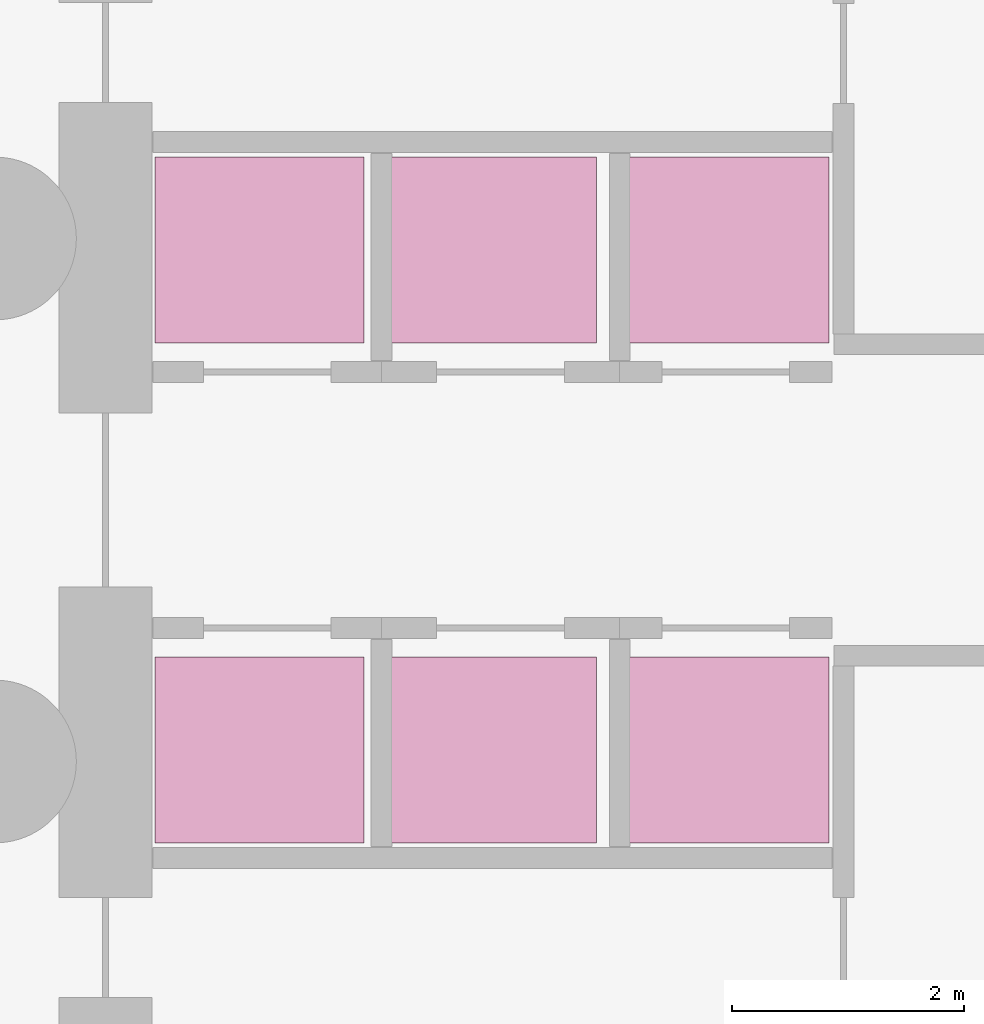
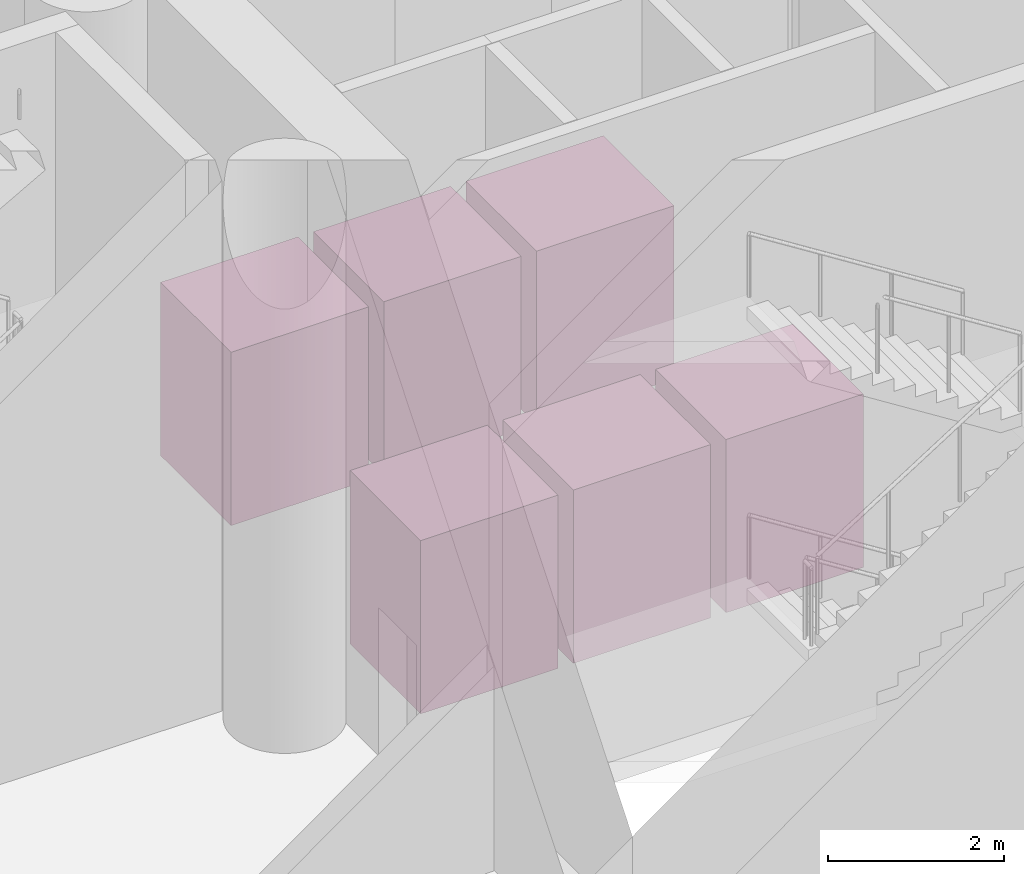
# One storey, part 16 of 16: 6 transport elements.
"""IFC4 building model written with IfcOpenShell, lengths in metres."""

from ifc_helpers import new_model, si_unit, direction, frame, origin, origin_2d, place, context, subcontext, project, spatial, rectangle, extrude, source, transform, mapped, material, type_object, element, save


model = new_model("IFC4")

# Units and contexts
model_context = context("Model", 3, precision=1e-05, world=origin(), true_north=direction((0.0, 1.0)))
body_context = subcontext(model_context, "Body", "Model", "MODEL_VIEW")
ifc_project = project(units=[si_unit("LENGTHUNIT", "METRE"), si_unit("AREAUNIT", "SQUARE_METRE"), si_unit("VOLUMEUNIT", "CUBIC_METRE"), si_unit("PLANEANGLEUNIT", "RADIAN"), si_unit("MASSUNIT", "GRAM", prefix="KILO")], contexts=[model_context])

# Site, building, storey
site_placement = place(None, origin())
site = spatial("IfcSite", under=ifc_project, at=site_placement, CompositionType="ELEMENT")
building_placement = place(site_placement, origin())
building = spatial("IfcBuilding", under=site, at=building_placement, Name="Qafzar Sky-Pleat Residences", CompositionType="ELEMENT")
storey_placement = place(building_placement, origin())
storey = spatial("IfcBuildingStorey", under=building, at=storey_placement, Name="L00", CompositionType="ELEMENT", Elevation=0.0)

# Transport elements
ifc_material = material(Name="Brushed stainless steel and bronze cab", Category="steel")
transport_element_type = type_object("IfcTransportElementType", Name="LIFT-PASS-1600", PredefinedType="ELEVATOR", material=ifc_material)
shared_shape = source(origin(), body_context, "Body", "SweptSolid", [
    extrude(rectangle(XDim=1.800048828125, YDim=1.60009765625, at=origin_2d()), origin(), (0.0, 0.0, 1.0), 2.39990234375),
])
for number, where, z_axis, x_axis, name in (
    (1, (25.72509765625, 23.85009765625, 0.0), (0.0, 0.0, 1.0), (1.0, 0.0, 0.0), "Passenger Lift P1"),
    (2, (27.72509765625, 23.85009765625, 0.0), (0.0, 0.0, 1.0), (1.0, 0.0, 0.0), "Passenger Lift P2"),
    (3, (29.72509765625, 23.85009765625, 0.0), (0.0, 0.0, 1.0), (1.0, 0.0, 0.0), "Passenger Lift P3"),
    (4, (25.72509765625, 28.14990234375, 0.0), (0.0, 0.0, 1.0), (1.0, 0.0, 0.0), "Passenger Lift P4"),
    (5, (27.72509765625, 28.14990234375, 0.0), (0.0, 0.0, 1.0), (1.0, 0.0, 0.0), "Passenger Lift P5"),
    (6, (29.72509765625, 28.14990234375, 0.0), (0.0, 0.0, 1.0), (1.0, 0.0, 0.0), "Passenger Lift P6"),
):
    element("IfcTransportElement", number, at=place(storey_placement, frame(where, z_axis=z_axis, x_axis=x_axis)), inside=storey, type_object=transport_element_type, Name=name, PredefinedType="ELEVATOR", context=body_context, shape_type="MappedRepresentation", body=[
        mapped(shared_shape, transform((0.0, 0.0, 0.0), x_axis=(1.0, 0.0, 0.0), y_axis=(0.0, 1.0, 0.0), z_axis=(0.0, 0.0, 1.0), scale=1.0)),
    ])

save(model, "model.ifc")
